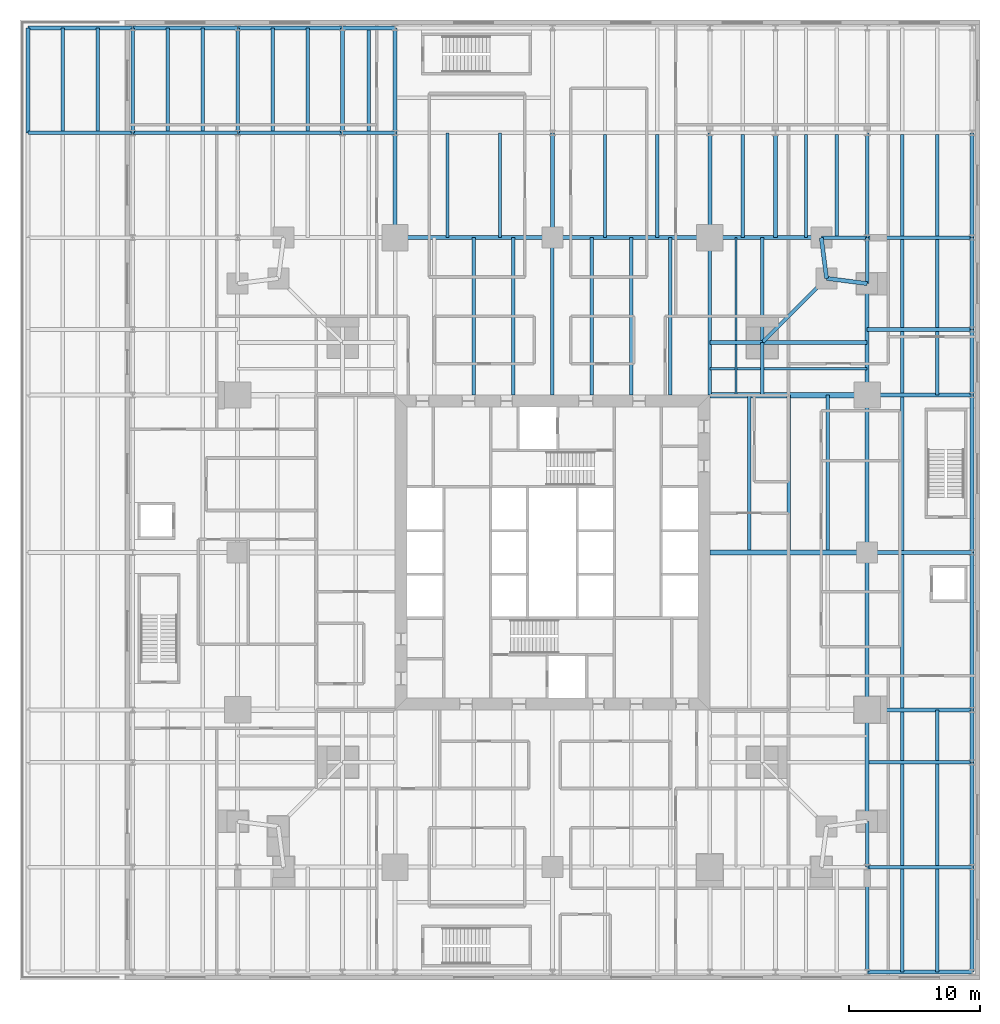
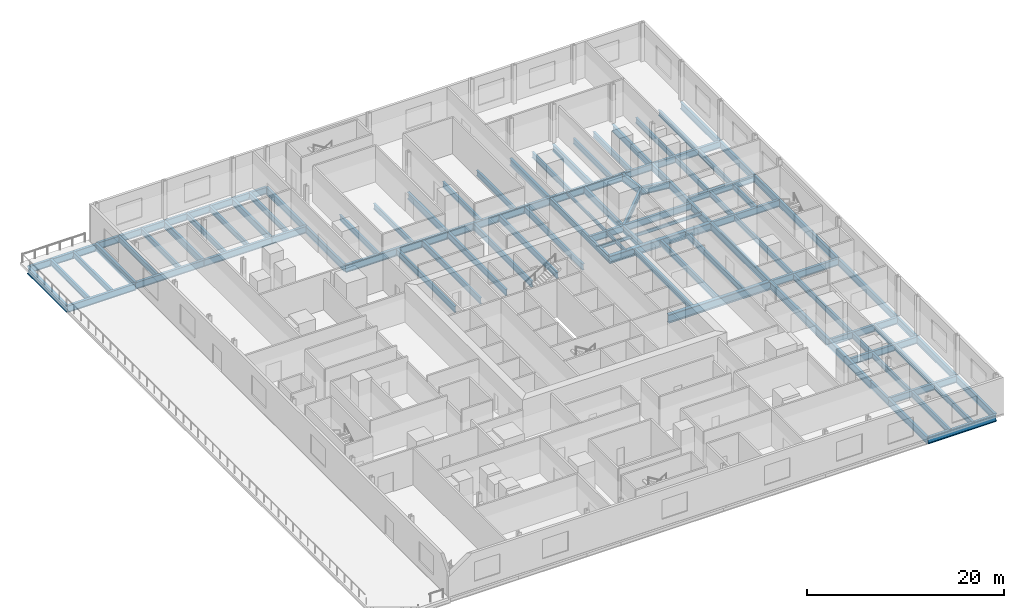
# One storey, part 6 of 17: 97 beams.
"""IFC4 building model written with IfcOpenShell, lengths in metres."""

from ifc_helpers import new_model, si_unit, direction, frame, origin, origin_2d, place, context, subcontext, project, spatial, i_section, extrude, material, material_profile, profile_set, type_object, element, save


model = new_model("IFC4")

# Units and contexts
model_context = context("Model", 3, precision=1e-05, world=origin(), true_north=direction((0.0, 1.0)))
body_context = subcontext(model_context, "Body", "Model", "MODEL_VIEW")
ifc_project = project(units=[si_unit("LENGTHUNIT", "METRE"), si_unit("AREAUNIT", "SQUARE_METRE"), si_unit("VOLUMEUNIT", "CUBIC_METRE"), si_unit("PLANEANGLEUNIT", "RADIAN"), si_unit("MASSUNIT", "GRAM", prefix="KILO")], contexts=[model_context])

# Site, building, storey
site_placement = place(None, origin())
site = spatial("IfcSite", under=ifc_project, at=site_placement, CompositionType="ELEMENT")
building_placement = place(site_placement, origin())
building = spatial("IfcBuilding", under=site, at=building_placement, Name="Fenwick Lantern Interchange", CompositionType="ELEMENT")
storey_placement = place(building_placement, frame((0.0, 0.0, 21.39990234375)))
storey = spatial("IfcBuildingStorey", under=building, at=storey_placement, Name="L04", CompositionType="ELEMENT", Elevation=21.39990234375)

# Beams
ifc_material = material(Name="Steel ASTM A992 Grade 50", Category="steel")
ifc_material_profile_1 = material_profile(ifc_material, i_section(OverallWidth=0.309814453125, OverallDepth=0.949951171875, WebThickness=0.0244140625, FlangeThickness=0.0439453125, at=origin_2d()), Name="W36X256")
ifc_profile_set_1 = profile_set([ifc_material_profile_1], Name="Steel ASTM A992 Grade 50")
beam_type_1 = type_object("IfcBeamType", Name="EDGE BEAM W36X256", PredefinedType="SPANDREL", material=ifc_profile_set_1)
beam_1_placement = place(storey_placement, frame((49.0, 4.5, -0.6748046875), z_axis=(0.0, 1.0, 0.0), x_axis=(-1.0, 0.0, 0.0)))
element("IfcBeam", 1, at=beam_1_placement, inside=storey, type_object=beam_type_1, Name="L04/FR/E/EB1", PredefinedType="SPANDREL", context=body_context, shape_type="SweptSolid", body=[
    extrude(i_section(OverallWidth=0.309814453125, OverallDepth=0.949951171875, WebThickness=0.0244140625, FlangeThickness=0.0439453125, at=origin_2d()), origin(), (0.0, 0.0, 1.0), 8.5),
])
for number, where, z_axis, x_axis, name in (
    (2, (49.0, 13.0, -0.6748046875), (0.0, 1.0, 0.0), (-1.0, 0.0, 0.0), "L04/FR/E/EB2"),
    (3, (49.0, 25.0, -0.6748046875), (0.0, 1.0, 0.0), (-1.0, 0.0, 0.0), "L04/FR/E/EB3"),
):
    element("IfcBeam", number, at=place(storey_placement, frame(where, z_axis=z_axis, x_axis=x_axis)), inside=storey, type_object=beam_type_1, Name=name, PredefinedType="SPANDREL", context=body_context, shape_type="SweptSolid", body=[
        extrude(i_section(OverallWidth=0.309814453125, OverallDepth=0.949951171875, WebThickness=0.0244140625, FlangeThickness=0.0439453125, at=origin_2d()), origin(), (0.0, 0.0, 1.0), 12.0),
    ])
beam_2_placement = place(storey_placement, frame((49.0, 37.0, -0.6748046875), z_axis=(0.0, 1.0, 0.0), x_axis=(-1.0, 0.0, 0.0)))
element("IfcBeam", 4, at=beam_2_placement, inside=storey, type_object=beam_type_1, Name="L04/FR/E/EB4", PredefinedType="SPANDREL", context=body_context, shape_type="SweptSolid", body=[
    extrude(i_section(OverallWidth=0.309814453125, OverallDepth=0.949951171875, WebThickness=0.0244140625, FlangeThickness=0.0439453125, at=origin_2d()), origin(), (0.0, 0.0, 1.0), 8.5),
])
for number, where, z_axis, x_axis, name in (
    (5, (49.0, 45.5, -0.6748046875), (-0.991782342897, 0.127936641807, 0.0), (-0.127936641807, -0.991782342897, 0.0), "L04/FR/E/EBR1"),
    (6, (45.89990234375, 45.89990234375, -0.6748046875), (-0.127936641807, 0.991782342897, 0.0), (-0.991782342897, -0.127936641807, 0.0), "L04/FR/E/EBR2"),
):
    element("IfcBeam", number, at=place(storey_placement, frame(where, z_axis=z_axis, x_axis=x_axis)), inside=storey, type_object=beam_type_1, Name=name, PredefinedType="SPANDREL", context=body_context, shape_type="SweptSolid", body=[
        extrude(i_section(OverallWidth=0.309814453125, OverallDepth=0.949951171875, WebThickness=0.0244140625, FlangeThickness=0.0439453125, at=origin_2d()), origin(), (0.0, 0.0, 1.0), 3.125732421875),
    ])
beam_3_placement = place(storey_placement, frame((45.5, 49.0, -0.6748046875), z_axis=(-1.0, 0.0, 0.0), x_axis=(0.0, -1.0, 0.0)))
element("IfcBeam", 7, at=beam_3_placement, inside=storey, type_object=beam_type_1, Name="L04/FR/N/EB1", PredefinedType="SPANDREL", context=body_context, shape_type="SweptSolid", body=[
    extrude(i_section(OverallWidth=0.309814453125, OverallDepth=0.949951171875, WebThickness=0.0244140625, FlangeThickness=0.0439453125, at=origin_2d()), origin(), (0.0, 0.0, 1.0), 8.5),
])
for number, where, z_axis, x_axis, name in (
    (8, (37.0, 49.0, -0.6748046875), (-1.0, 0.0, 0.0), (0.0, -1.0, 0.0), "L04/FR/N/EB2"),
    (9, (25.0, 49.0, -0.6748046875), (-1.0, 0.0, 0.0), (0.0, -1.0, 0.0), "L04/FR/N/EB3"),
):
    element("IfcBeam", number, at=place(storey_placement, frame(where, z_axis=z_axis, x_axis=x_axis)), inside=storey, type_object=beam_type_1, Name=name, PredefinedType="SPANDREL", context=body_context, shape_type="SweptSolid", body=[
        extrude(i_section(OverallWidth=0.309814453125, OverallDepth=0.949951171875, WebThickness=0.0244140625, FlangeThickness=0.0439453125, at=origin_2d()), origin(), (0.0, 0.0, 1.0), 12.0),
    ])
ifc_material_profile_2 = material_profile(ifc_material, i_section(OverallWidth=0.2666015625, OverallDepth=0.7568359375, WebThickness=0.013916015625, FlangeThickness=0.019287109375, at=origin_2d()), Name="W30X108")
ifc_profile_set_2 = profile_set([ifc_material_profile_2], Name="Steel ASTM A992 Grade 50")
beam_type_2 = type_object("IfcBeamType", Name="FLOOR BEAM W30X108", PredefinedType="BEAM", material=ifc_profile_set_2)
for number, where, z_axis, x_axis, name in (
    (10, (46.0, 25.20458984375, -0.578369140625), (0.0, 1.0, 0.0), (-1.0, 0.0, 0.0), "L04/FR/E/B04"),
    (11, (43.0, 25.20458984375, -0.578369140625), (0.0, 1.0, 0.0), (-1.0, 0.0, 0.0), "L04/FR/E/B05"),
    (12, (40.0, 25.20458984375, -0.578369140625), (0.0, 1.0, 0.0), (-1.0, 0.0, 0.0), "L04/FR/E/B06"),
):
    element("IfcBeam", number, at=place(storey_placement, frame(where, z_axis=z_axis, x_axis=x_axis)), inside=storey, type_object=beam_type_2, Name=name, PredefinedType="BEAM", context=body_context, shape_type="SweptSolid", body=[
        extrude(i_section(OverallWidth=0.2666015625, OverallDepth=0.7568359375, WebThickness=0.013916015625, FlangeThickness=0.019287109375, at=origin_2d()), origin(), (0.0, 0.0, 1.0), 11.79541015625),
    ])
for number, where, z_axis, x_axis, name in (
    (13, (34.0, 49.0, -0.578369140625), (0.0, -1.0, 0.0), (1.0, 0.0, 0.0), "L04/FR/N/R02"),
    (14, (31.0, 49.0, -0.578369140625), (0.0, -1.0, 0.0), (1.0, 0.0, 0.0), "L04/FR/N/R03"),
    (15, (28.0, 49.0, -0.578369140625), (0.0, -1.0, 0.0), (1.0, 0.0, 0.0), "L04/FR/N/R04"),
    (16, (22.0, 49.0, -0.578369140625), (0.0, -1.0, 0.0), (1.0, 0.0, 0.0), "L04/FR/N/R06"),
    (17, (19.0, 49.0, -0.578369140625), (0.0, -1.0, 0.0), (1.0, 0.0, 0.0), "L04/FR/N/R07"),
):
    element("IfcBeam", number, at=place(storey_placement, frame(where, z_axis=z_axis, x_axis=x_axis)), inside=storey, type_object=beam_type_2, Name=name, PredefinedType="BEAM", context=body_context, shape_type="SweptSolid", body=[
        extrude(i_section(OverallWidth=0.2666015625, OverallDepth=0.7568359375, WebThickness=0.013916015625, FlangeThickness=0.019287109375, at=origin_2d()), origin(), (0.0, 0.0, 1.0), 12.0),
    ])
ifc_material_profile_3 = material_profile(ifc_material, i_section(OverallWidth=0.177734375, OverallDepth=0.406494140625, WebThickness=0.0078125, FlangeThickness=0.012939453125, at=origin_2d()), Name="W16X40")
ifc_profile_set_3 = profile_set([ifc_material_profile_3], Name="Steel ASTM A992 Grade 50")
beam_type_3 = type_object("IfcBeamType", Name="INFILL BEAM W16X40", PredefinedType="JOIST", material=ifc_profile_set_3)
beam_4_placement = place(storey_placement, frame((39.0, 49.0, -0.403076171875), z_axis=(0.0, -1.0, 0.0), x_axis=(1.0, 0.0, 0.0)))
element("IfcBeam", 18, at=beam_4_placement, inside=storey, type_object=beam_type_3, Name="L04/FR/N/J1", PredefinedType="JOIST", context=body_context, shape_type="SweptSolid", body=[
    extrude(i_section(OverallWidth=0.177734375, OverallDepth=0.406494140625, WebThickness=0.0078125, FlangeThickness=0.012939453125, at=origin_2d()), origin(), (0.0, 0.0, 1.0), 7.85400390625),
])
beam_5_placement = place(storey_placement, frame((39.0, 40.85400390625, -0.403076171875), z_axis=(0.0, -1.0, 0.0), x_axis=(1.0, 0.0, 0.0)))
element("IfcBeam", 19, at=beam_5_placement, inside=storey, type_object=beam_type_3, Name="L04/FR/N/J2", PredefinedType="JOIST", context=body_context, shape_type="SweptSolid", body=[
    extrude(i_section(OverallWidth=0.177734375, OverallDepth=0.406494140625, WebThickness=0.0078125, FlangeThickness=0.012939453125, at=origin_2d()), origin(), (0.0, 0.0, 1.0), 3.85400390625),
])
beam_6_placement = place(storey_placement, frame((49.0, 39.0, -0.403076171875), z_axis=(-1.0, 0.0, 0.0), x_axis=(0.0, -1.0, 0.0)))
element("IfcBeam", 20, at=beam_6_placement, inside=storey, type_object=beam_type_3, Name="L04/FR/N/J3", PredefinedType="JOIST", context=body_context, shape_type="SweptSolid", body=[
    extrude(i_section(OverallWidth=0.177734375, OverallDepth=0.406494140625, WebThickness=0.0078125, FlangeThickness=0.012939453125, at=origin_2d()), origin(), (0.0, 0.0, 1.0), 7.85400390625),
])
beam_7_placement = place(storey_placement, frame((40.85400390625, 39.0, -0.403076171875), z_axis=(-1.0, 0.0, 0.0), x_axis=(0.0, -1.0, 0.0)))
element("IfcBeam", 21, at=beam_7_placement, inside=storey, type_object=beam_type_3, Name="L04/FR/N/J4", PredefinedType="JOIST", context=body_context, shape_type="SweptSolid", body=[
    extrude(i_section(OverallWidth=0.177734375, OverallDepth=0.406494140625, WebThickness=0.0078125, FlangeThickness=0.012939453125, at=origin_2d()), origin(), (0.0, 0.0, 1.0), 1.76513671875),
])
beam_8_placement = place(storey_placement, frame((38.9111328125, 39.0, -0.403076171875), z_axis=(-1.0, 0.0, 0.0), x_axis=(0.0, -1.0, 0.0)))
element("IfcBeam", 22, at=beam_8_placement, inside=storey, type_object=beam_type_3, Name="L04/FR/N/J5", PredefinedType="JOIST", context=body_context, shape_type="SweptSolid", body=[
    extrude(i_section(OverallWidth=0.177734375, OverallDepth=0.406494140625, WebThickness=0.0078125, FlangeThickness=0.012939453125, at=origin_2d()), origin(), (0.0, 0.0, 1.0), 1.9111328125),
])
ifc_material_profile_4 = material_profile(ifc_material, i_section(OverallWidth=0.2919921875, OverallDepth=0.845703125, WebThickness=0.015380859375, FlangeThickness=0.0244140625, at=origin_2d()), Name="W33X141")
ifc_profile_set_4 = profile_set([ifc_material_profile_4], Name="Steel ASTM A992 Grade 50")
beam_type_4 = type_object("IfcBeamType", Name="MEGA COLUMN BEAM W33X141", PredefinedType="BEAM", material=ifc_profile_set_4)
for number, where, z_axis, x_axis, name in (
    (23, (41.0, 41.0, -0.622802734375), (0.0, 1.0, 0.0), (-1.0, 0.0, 0.0), "L04/FR/N/MB1"),
    (24, (41.0, 41.0, -0.622802734375), (1.0, 0.0, 0.0), (0.0, 1.0, 0.0), "L04/FR/N/MB2"),
):
    element("IfcBeam", number, at=place(storey_placement, frame(where, z_axis=z_axis, x_axis=x_axis)), inside=storey, type_object=beam_type_4, Name=name, PredefinedType="BEAM", context=body_context, shape_type="SweptSolid", body=[
        extrude(i_section(OverallWidth=0.2919921875, OverallDepth=0.845703125, WebThickness=0.015380859375, FlangeThickness=0.0244140625, at=origin_2d()), origin(), (0.0, 0.0, 1.0), 8.0),
    ])
for number, where, z_axis, x_axis, name in (
    (25, (41.0, 41.0, -0.622802734375), (-1.0, 0.0, 0.0), (0.0, -1.0, 0.0), "L04/FR/N/MB3"),
    (26, (41.0, 41.0, -0.622802734375), (0.0, -1.0, 0.0), (1.0, 0.0, 0.0), "L04/FR/N/MB4"),
):
    element("IfcBeam", number, at=place(storey_placement, frame(where, z_axis=z_axis, x_axis=x_axis)), inside=storey, type_object=beam_type_4, Name=name, PredefinedType="BEAM", context=body_context, shape_type="SweptSolid", body=[
        extrude(i_section(OverallWidth=0.2919921875, OverallDepth=0.845703125, WebThickness=0.015380859375, FlangeThickness=0.0244140625, at=origin_2d()), origin(), (0.0, 0.0, 1.0), 4.0),
    ])
ifc_material_profile_5 = material_profile(ifc_material, i_section(OverallWidth=0.2666015625, OverallDepth=0.76953125, WebThickness=0.015625, FlangeThickness=0.025390625, at=origin_2d()), Name="W30X132")
ifc_profile_set_5 = profile_set([ifc_material_profile_5], Name="Steel ASTM A992 Grade 50")
beam_type_5 = type_object("IfcBeamType", Name="MOMENT-CONNECTED GIRDER W30X132", PredefinedType="BEAM", material=ifc_profile_set_5)
for number, where, z_axis, x_axis, name in (
    (27, (37.0, 49.0, -0.584716796875), (0.0, -1.0, 0.0), (1.0, 0.0, 0.0), "L04/FR/N/R01"),
    (28, (25.0, 49.0, -0.584716796875), (0.0, -1.0, 0.0), (1.0, 0.0, 0.0), "L04/FR/N/R05"),
):
    element("IfcBeam", number, at=place(storey_placement, frame(where, z_axis=z_axis, x_axis=x_axis)), inside=storey, type_object=beam_type_5, Name=name, PredefinedType="BEAM", context=body_context, shape_type="SweptSolid", body=[
        extrude(i_section(OverallWidth=0.2666015625, OverallDepth=0.76953125, WebThickness=0.015625, FlangeThickness=0.025390625, at=origin_2d()), origin(), (0.0, 0.0, 1.0), 12.0),
    ])
ifc_material_profile_6 = material_profile(ifc_material, i_section(OverallWidth=0.424072265625, OverallDepth=0.947509765625, WebThickness=0.02392578125, FlangeThickness=0.042724609375, at=origin_2d()), Name="W36X302")
ifc_profile_set_6 = profile_set([ifc_material_profile_6], Name="Steel ASTM A992 Grade 50")
beam_type_6 = type_object("IfcBeamType", Name="MOMENT-CONNECTED GIRDER W36X302", PredefinedType="BEAM", material=ifc_profile_set_6)
beam_9_placement = place(storey_placement, frame((49.0, 37.0, -0.673583984375), z_axis=(-1.0, 0.0, 0.0), x_axis=(0.0, -1.0, 0.0)))
element("IfcBeam", 29, at=beam_9_placement, inside=storey, type_object=beam_type_6, Name="L04/FR/E/R03", PredefinedType="BEAM", context=body_context, shape_type="SweptSolid", body=[
    extrude(i_section(OverallWidth=0.424072265625, OverallDepth=0.947509765625, WebThickness=0.02392578125, FlangeThickness=0.042724609375, at=origin_2d()), origin(), (0.0, 0.0, 1.0), 12.0),
])
ifc_material_profile_7 = material_profile(ifc_material, i_section(OverallWidth=0.408935546875, OverallDepth=1.04150390625, WebThickness=0.031005859375, FlangeThickness=0.055908203125, at=origin_2d()), Name="W40X397")
ifc_profile_set_7 = profile_set([ifc_material_profile_7], Name="Steel ASTM A992 Grade 50")
beam_type_7 = type_object("IfcBeamType", Name="MOMENT-CONNECTED GIRDER W40X397", PredefinedType="BEAM", material=ifc_profile_set_7)
beam_10_placement = place(storey_placement, frame((49.0, 25.0, -0.720703125), z_axis=(-1.0, 0.0, 0.0), x_axis=(0.0, -1.0, 0.0)))
element("IfcBeam", 30, at=beam_10_placement, inside=storey, type_object=beam_type_7, Name="L04/FR/E/R02", PredefinedType="BEAM", context=body_context, shape_type="SweptSolid", body=[
    extrude(i_section(OverallWidth=0.408935546875, OverallDepth=1.04150390625, WebThickness=0.031005859375, FlangeThickness=0.055908203125, at=origin_2d()), origin(), (0.0, 0.0, 1.0), 12.0),
])
ifc_material_profile_8 = material_profile(ifc_material, i_section(OverallWidth=0.2919921875, OverallDepth=0.845703125, WebThickness=0.015380859375, FlangeThickness=0.0244140625, at=origin_2d()), Name="W33X141")
ifc_profile_set_8 = profile_set([ifc_material_profile_8], Name="Steel ASTM A992 Grade 50")
beam_type_8 = type_object("IfcBeamType", Name="MOMENT-CONNECTED PODIUM GIRDER W33X141", PredefinedType="BEAM", material=ifc_profile_set_8)
for number, where, z_axis, x_axis, name in (
    (31, (49.0, -7.0, -0.622802734375), (1.0, 0.0, 0.0), (0.0, 1.0, 0.0), "L04/PF/G009"),
    (32, (49.0, 1.0, -0.622802734375), (1.0, 0.0, 0.0), (0.0, 1.0, 0.0), "L04/PF/G014"),
):
    element("IfcBeam", number, at=place(storey_placement, frame(where, z_axis=z_axis, x_axis=x_axis)), inside=storey, type_object=beam_type_8, Name=name, PredefinedType="BEAM", context=body_context, shape_type="SweptSolid", body=[
        extrude(i_section(OverallWidth=0.2919921875, OverallDepth=0.845703125, WebThickness=0.015380859375, FlangeThickness=0.0244140625, at=origin_2d()), origin(), (0.0, 0.0, 1.0), 8.0),
    ])
beam_11_placement = place(storey_placement, frame((49.155029296875, 9.0, -0.622802734375), z_axis=(1.0, 0.0, 0.0), x_axis=(0.0, 1.0, 0.0)))
element("IfcBeam", 33, at=beam_11_placement, inside=storey, type_object=beam_type_8, Name="L04/PF/G017", PredefinedType="BEAM", context=body_context, shape_type="SweptSolid", body=[
    extrude(i_section(OverallWidth=0.2919921875, OverallDepth=0.845703125, WebThickness=0.015380859375, FlangeThickness=0.0244140625, at=origin_2d()), origin(), (0.0, 0.0, 1.0), 7.844970703125),
])
for number, where, z_axis, x_axis, name in (
    (34, (49.0, 13.0, -0.622802734375), (1.0, 0.0, 0.0), (0.0, 1.0, 0.0), "L04/PF/G020"),
    (35, (49.0, 25.0, -0.622802734375), (1.0, 0.0, 0.0), (0.0, 1.0, 0.0), "L04/PF/G023"),
    (36, (49.0, 37.0, -0.622802734375), (1.0, 0.0, 0.0), (0.0, 1.0, 0.0), "L04/PF/G026"),
    (37, (49.0, 42.0, -0.622802734375), (1.0, 0.0, 0.0), (0.0, 1.0, 0.0), "L04/PF/G029"),
):
    element("IfcBeam", number, at=place(storey_placement, frame(where, z_axis=z_axis, x_axis=x_axis)), inside=storey, type_object=beam_type_8, Name=name, PredefinedType="BEAM", context=body_context, shape_type="SweptSolid", body=[
        extrude(i_section(OverallWidth=0.2919921875, OverallDepth=0.845703125, WebThickness=0.015380859375, FlangeThickness=0.0244140625, at=origin_2d()), origin(), (0.0, 0.0, 1.0), 8.0),
    ])
beam_12_placement = place(storey_placement, frame((45.5, 49.0, -0.622802734375), z_axis=(1.0, 0.0, 0.0), x_axis=(0.0, 1.0, 0.0)))
element("IfcBeam", 38, at=beam_12_placement, inside=storey, type_object=beam_type_8, Name="L04/PF/G033", PredefinedType="BEAM", context=body_context, shape_type="SweptSolid", body=[
    extrude(i_section(OverallWidth=0.2919921875, OverallDepth=0.845703125, WebThickness=0.015380859375, FlangeThickness=0.0244140625, at=origin_2d()), origin(), (0.0, 0.0, 1.0), 3.5),
])
for number, where, z_axis, x_axis, name in (
    (39, (49.0, 49.0, -0.622802734375), (1.0, 0.0, 0.0), (0.0, 1.0, 0.0), "L04/PF/G034"),
    (40, (-15.0, 57.0, -0.722900390625), (1.0, 0.0, 0.0), (0.0, 1.0, 0.0), "L04/PF/G035"),
    (41, (-7.0, 57.0, -0.622802734375), (1.0, 0.0, 0.0), (0.0, 1.0, 0.0), "L04/PF/G036"),
    (42, (1.0, 57.0, -0.622802734375), (1.0, 0.0, 0.0), (0.0, 1.0, 0.0), "L04/PF/G037"),
):
    element("IfcBeam", number, at=place(storey_placement, frame(where, z_axis=z_axis, x_axis=x_axis)), inside=storey, type_object=beam_type_8, Name=name, PredefinedType="BEAM", context=body_context, shape_type="SweptSolid", body=[
        extrude(i_section(OverallWidth=0.2919921875, OverallDepth=0.845703125, WebThickness=0.015380859375, FlangeThickness=0.0244140625, at=origin_2d()), origin(), (0.0, 0.0, 1.0), 8.0),
    ])
beam_13_placement = place(storey_placement, frame((9.0, 57.0, -0.622802734375), z_axis=(1.0, 0.0, 0.0), x_axis=(0.0, 1.0, 0.0)))
element("IfcBeam", 43, at=beam_13_placement, inside=storey, type_object=beam_type_8, Name="L04/PF/G038", PredefinedType="BEAM", context=body_context, shape_type="SweptSolid", body=[
    extrude(i_section(OverallWidth=0.2919921875, OverallDepth=0.845703125, WebThickness=0.015380859375, FlangeThickness=0.0244140625, at=origin_2d()), origin(), (0.0, 0.0, 1.0), 4.0),
])
for number, where, z_axis, x_axis, name in (
    (44, (-15.0, 65.0, -0.722900390625), (1.0, 0.0, 0.0), (0.0, 1.0, 0.0), "L04/PF/G044"),
    (45, (-7.0, 65.0, -0.622802734375), (1.0, 0.0, 0.0), (0.0, 1.0, 0.0), "L04/PF/G045"),
    (46, (1.0, 65.0, -0.622802734375), (1.0, 0.0, 0.0), (0.0, 1.0, 0.0), "L04/PF/G046"),
):
    element("IfcBeam", number, at=place(storey_placement, frame(where, z_axis=z_axis, x_axis=x_axis)), inside=storey, type_object=beam_type_8, Name=name, PredefinedType="BEAM", context=body_context, shape_type="SweptSolid", body=[
        extrude(i_section(OverallWidth=0.2919921875, OverallDepth=0.845703125, WebThickness=0.015380859375, FlangeThickness=0.0244140625, at=origin_2d()), origin(), (0.0, 0.0, 1.0), 8.0),
    ])
beam_14_placement = place(storey_placement, frame((9.0, 65.0, -0.622802734375), z_axis=(1.0, 0.0, 0.0), x_axis=(0.0, 1.0, 0.0)))
element("IfcBeam", 47, at=beam_14_placement, inside=storey, type_object=beam_type_8, Name="L04/PF/G047", PredefinedType="BEAM", context=body_context, shape_type="SweptSolid", body=[
    extrude(i_section(OverallWidth=0.2919921875, OverallDepth=0.845703125, WebThickness=0.015380859375, FlangeThickness=0.0244140625, at=origin_2d()), origin(), (0.0, 0.0, 1.0), 4.0),
])
for number, where, z_axis, x_axis, name in (
    (48, (-15.0, 57.0, -0.722900390625), (0.0, 1.0, 0.0), (-1.0, 0.0, 0.0), "L04/PF/G061"),
    (49, (-7.0, 57.0, -0.622802734375), (0.0, 1.0, 0.0), (-1.0, 0.0, 0.0), "L04/PF/G070"),
    (50, (1.0, 57.0, -0.622802734375), (0.0, 1.0, 0.0), (-1.0, 0.0, 0.0), "L04/PF/G075"),
    (51, (9.0, 57.0, -0.622802734375), (0.0, 1.0, 0.0), (-1.0, 0.0, 0.0), "L04/PF/G078"),
    (52, (13.0, 49.0, -0.622802734375), (0.0, 1.0, 0.0), (-1.0, 0.0, 0.0), "L04/PF/G080"),
    (53, (13.0, 57.0, -0.622802734375), (0.0, 1.0, 0.0), (-1.0, 0.0, 0.0), "L04/PF/G081"),
    (54, (25.0, 49.0, -0.622802734375), (0.0, 1.0, 0.0), (-1.0, 0.0, 0.0), "L04/PF/G083"),
    (55, (37.0, 49.0, -0.622802734375), (0.0, 1.0, 0.0), (-1.0, 0.0, 0.0), "L04/PF/G086"),
    (56, (42.0, 49.0, -0.622802734375), (0.0, 1.0, 0.0), (-1.0, 0.0, 0.0), "L04/PF/G089"),
    (57, (49.0, -7.0, -0.622802734375), (0.0, 1.0, 0.0), (-1.0, 0.0, 0.0), "L04/PF/G091"),
):
    element("IfcBeam", number, at=place(storey_placement, frame(where, z_axis=z_axis, x_axis=x_axis)), inside=storey, type_object=beam_type_8, Name=name, PredefinedType="BEAM", context=body_context, shape_type="SweptSolid", body=[
        extrude(i_section(OverallWidth=0.2919921875, OverallDepth=0.845703125, WebThickness=0.015380859375, FlangeThickness=0.0244140625, at=origin_2d()), origin(), (0.0, 0.0, 1.0), 8.0),
    ])
for number, where, z_axis, x_axis, name in (
    (58, (49.0, 1.0, -0.622802734375), (0.0, 1.0, 0.0), (-1.0, 0.0, 0.0), "L04/PF/G092"),
    (59, (49.0, 45.5, -0.622802734375), (0.0, 1.0, 0.0), (-1.0, 0.0, 0.0), "L04/PF/G093"),
):
    element("IfcBeam", number, at=place(storey_placement, frame(where, z_axis=z_axis, x_axis=x_axis)), inside=storey, type_object=beam_type_8, Name=name, PredefinedType="BEAM", context=body_context, shape_type="SweptSolid", body=[
        extrude(i_section(OverallWidth=0.2919921875, OverallDepth=0.845703125, WebThickness=0.015380859375, FlangeThickness=0.0244140625, at=origin_2d()), origin(), (0.0, 0.0, 1.0), 3.5),
    ])
for number, where, z_axis, x_axis, name in (
    (60, (49.0, 49.0, -0.622802734375), (0.0, 1.0, 0.0), (-1.0, 0.0, 0.0), "L04/PF/G094"),
    (61, (57.0, -7.0, -0.622802734375), (0.0, 1.0, 0.0), (-1.0, 0.0, 0.0), "L04/PF/G096"),
    (62, (57.0, 1.0, -0.622802734375), (0.0, 1.0, 0.0), (-1.0, 0.0, 0.0), "L04/PF/G097"),
):
    element("IfcBeam", number, at=place(storey_placement, frame(where, z_axis=z_axis, x_axis=x_axis)), inside=storey, type_object=beam_type_8, Name=name, PredefinedType="BEAM", context=body_context, shape_type="SweptSolid", body=[
        extrude(i_section(OverallWidth=0.2919921875, OverallDepth=0.845703125, WebThickness=0.015380859375, FlangeThickness=0.0244140625, at=origin_2d()), origin(), (0.0, 0.0, 1.0), 8.0),
    ])
beam_15_placement = place(storey_placement, frame((57.0, 9.0, -0.622802734375), z_axis=(0.0, 1.0, 0.0), x_axis=(-1.0, 0.0, 0.0)))
element("IfcBeam", 63, at=beam_15_placement, inside=storey, type_object=beam_type_8, Name="L04/PF/G098", PredefinedType="BEAM", context=body_context, shape_type="SweptSolid", body=[
    extrude(i_section(OverallWidth=0.2919921875, OverallDepth=0.845703125, WebThickness=0.015380859375, FlangeThickness=0.0244140625, at=origin_2d()), origin(), (0.0, 0.0, 1.0), 4.0),
])
for number, where, z_axis, x_axis, name in (
    (64, (57.0, 13.0, -0.622802734375), (0.0, 1.0, 0.0), (-1.0, 0.0, 0.0), "L04/PF/G099"),
    (65, (57.0, 25.0, -0.622802734375), (0.0, 1.0, 0.0), (-1.0, 0.0, 0.0), "L04/PF/G100"),
):
    element("IfcBeam", number, at=place(storey_placement, frame(where, z_axis=z_axis, x_axis=x_axis)), inside=storey, type_object=beam_type_8, Name=name, PredefinedType="BEAM", context=body_context, shape_type="SweptSolid", body=[
        extrude(i_section(OverallWidth=0.2919921875, OverallDepth=0.845703125, WebThickness=0.015380859375, FlangeThickness=0.0244140625, at=origin_2d()), origin(), (0.0, 0.0, 1.0), 12.0),
    ])
beam_16_placement = place(storey_placement, frame((57.0, 37.0, -0.622802734375), z_axis=(0.0, 1.0, 0.0), x_axis=(-1.0, 0.0, 0.0)))
element("IfcBeam", 66, at=beam_16_placement, inside=storey, type_object=beam_type_8, Name="L04/PF/G101", PredefinedType="BEAM", context=body_context, shape_type="SweptSolid", body=[
    extrude(i_section(OverallWidth=0.2919921875, OverallDepth=0.845703125, WebThickness=0.015380859375, FlangeThickness=0.0244140625, at=origin_2d()), origin(), (0.0, 0.0, 1.0), 5.0),
])
beam_17_placement = place(storey_placement, frame((57.0, 42.0, -0.622802734375), z_axis=(0.0, 1.0, 0.0), x_axis=(-1.0, 0.0, 0.0)))
element("IfcBeam", 67, at=beam_17_placement, inside=storey, type_object=beam_type_8, Name="L04/PF/G102", PredefinedType="BEAM", context=body_context, shape_type="SweptSolid", body=[
    extrude(i_section(OverallWidth=0.2919921875, OverallDepth=0.845703125, WebThickness=0.015380859375, FlangeThickness=0.0244140625, at=origin_2d()), origin(), (0.0, 0.0, 1.0), 7.0),
])
beam_18_placement = place(storey_placement, frame((57.0, 49.0, -0.622802734375), z_axis=(0.0, 1.0, 0.0), x_axis=(-1.0, 0.0, 0.0)))
element("IfcBeam", 68, at=beam_18_placement, inside=storey, type_object=beam_type_8, Name="L04/PF/G103", PredefinedType="BEAM", context=body_context, shape_type="SweptSolid", body=[
    extrude(i_section(OverallWidth=0.2919921875, OverallDepth=0.845703125, WebThickness=0.015380859375, FlangeThickness=0.0244140625, at=origin_2d()), origin(), (0.0, 0.0, 1.0), 8.0),
])
ifc_material_profile_9 = material_profile(ifc_material, i_section(OverallWidth=0.2666015625, OverallDepth=0.7568359375, WebThickness=0.013916015625, FlangeThickness=0.019287109375, at=origin_2d()), Name="W30X108")
ifc_profile_set_9 = profile_set([ifc_material_profile_9], Name="Steel ASTM A992 Grade 50")
beam_type_9 = type_object("IfcBeamType", Name="NOTCH BEAM W30X108", PredefinedType="BEAM", material=ifc_profile_set_9)
beam_19_placement = place(storey_placement, frame((41.0, 41.0, -0.578369140625), z_axis=(0.707106781187, 0.707106781187, 0.0), x_axis=(-0.707106781187, 0.707106781187, 0.0)))
element("IfcBeam", 69, at=beam_19_placement, inside=storey, type_object=beam_type_9, Name="L04/FR/N/TG", PredefinedType="BEAM", context=body_context, shape_type="SweptSolid", body=[
    extrude(i_section(OverallWidth=0.2666015625, OverallDepth=0.7568359375, WebThickness=0.013916015625, FlangeThickness=0.019287109375, at=origin_2d()), origin(), (0.0, 0.0, 1.0), 6.929443359375),
])
ifc_material_profile_10 = material_profile(ifc_material, i_section(OverallWidth=0.25390625, OverallDepth=0.683349609375, WebThickness=0.012451171875, FlangeThickness=0.01904296875, at=origin_2d()), Name="W27X94")
ifc_profile_set_10 = profile_set([ifc_material_profile_10], Name="Steel ASTM A992 Grade 50")
beam_type_10 = type_object("IfcBeamType", Name="PODIUM BEAM W27X94", PredefinedType="JOIST", material=ifc_profile_set_10)
for number, where, z_axis, x_axis, name in (
    (70, (-12.333251953125, 57.14599609375, -0.6416015625), (0.0, 1.0, 0.0), (-1.0, 0.0, 0.0), "L04/PF/J121"),
    (71, (-9.666748046875, 57.14599609375, -0.6416015625), (0.0, 1.0, 0.0), (-1.0, 0.0, 0.0), "L04/PF/J122"),
    (72, (-4.333251953125, 57.14599609375, -0.54150390625), (0.0, 1.0, 0.0), (-1.0, 0.0, 0.0), "L04/PF/J137"),
    (73, (-1.666748046875, 57.14599609375, -0.54150390625), (0.0, 1.0, 0.0), (-1.0, 0.0, 0.0), "L04/PF/J138"),
    (74, (3.666748046875, 57.14599609375, -0.54150390625), (0.0, 1.0, 0.0), (-1.0, 0.0, 0.0), "L04/PF/J143"),
    (75, (6.333251953125, 57.14599609375, -0.54150390625), (0.0, 1.0, 0.0), (-1.0, 0.0, 0.0), "L04/PF/J144"),
    (76, (11.0, 57.14599609375, -0.54150390625), (0.0, 1.0, 0.0), (-1.0, 0.0, 0.0), "L04/PF/J147"),
):
    element("IfcBeam", number, at=place(storey_placement, frame(where, z_axis=z_axis, x_axis=x_axis)), inside=storey, type_object=beam_type_10, Name=name, PredefinedType="JOIST", context=body_context, shape_type="SweptSolid", body=[
        extrude(i_section(OverallWidth=0.25390625, OverallDepth=0.683349609375, WebThickness=0.012451171875, FlangeThickness=0.01904296875, at=origin_2d()), origin(), (0.0, 0.0, 1.0), 7.85400390625),
    ])
for number, where, z_axis, x_axis, name in (
    (77, (17.0, 49.0, -0.54150390625), (0.0, 1.0, 0.0), (-1.0, 0.0, 0.0), "L04/PF/J149"),
    (78, (21.0, 49.0, -0.54150390625), (0.0, 1.0, 0.0), (-1.0, 0.0, 0.0), "L04/PF/J150"),
):
    element("IfcBeam", number, at=place(storey_placement, frame(where, z_axis=z_axis, x_axis=x_axis)), inside=storey, type_object=beam_type_10, Name=name, PredefinedType="JOIST", context=body_context, shape_type="SweptSolid", body=[
        extrude(i_section(OverallWidth=0.25390625, OverallDepth=0.683349609375, WebThickness=0.012451171875, FlangeThickness=0.01904296875, at=origin_2d()), origin(), (0.0, 0.0, 1.0), 8.0),
    ])
for number, where, z_axis, x_axis, name in (
    (79, (29.0, 49.0, -0.54150390625), (0.0, 1.0, 0.0), (-1.0, 0.0, 0.0), "L04/PF/J154"),
    (80, (33.0, 49.0, -0.54150390625), (0.0, 1.0, 0.0), (-1.0, 0.0, 0.0), "L04/PF/J155"),
    (81, (39.5, 49.0, -0.54150390625), (0.0, 1.0, 0.0), (-1.0, 0.0, 0.0), "L04/PF/J159"),
    (82, (44.333251953125, 49.0, -0.54150390625), (0.0, 1.0, 0.0), (-1.0, 0.0, 0.0), "L04/PF/J163"),
    (83, (46.666748046875, 49.0, -0.54150390625), (0.0, 1.0, 0.0), (-1.0, 0.0, 0.0), "L04/PF/J164"),
    (84, (51.666748046875, -7.0, -0.54150390625), (0.0, 1.0, 0.0), (-1.0, 0.0, 0.0), "L04/PF/J167"),
    (85, (54.333251953125, -7.0, -0.54150390625), (0.0, 1.0, 0.0), (-1.0, 0.0, 0.0), "L04/PF/J168"),
):
    element("IfcBeam", number, at=place(storey_placement, frame(where, z_axis=z_axis, x_axis=x_axis)), inside=storey, type_object=beam_type_10, Name=name, PredefinedType="JOIST", context=body_context, shape_type="SweptSolid", body=[
        extrude(i_section(OverallWidth=0.25390625, OverallDepth=0.683349609375, WebThickness=0.012451171875, FlangeThickness=0.01904296875, at=origin_2d()), origin(), (0.0, 0.0, 1.0), 7.85400390625),
    ])
for number, where, z_axis, x_axis, name in (
    (86, (51.666748046875, 1.14599609375, -0.54150390625), (0.0, 1.0, 0.0), (-1.0, 0.0, 0.0), "L04/PF/J169"),
    (87, (54.333251953125, 1.14599609375, -0.54150390625), (0.0, 1.0, 0.0), (-1.0, 0.0, 0.0), "L04/PF/J170"),
):
    element("IfcBeam", number, at=place(storey_placement, frame(where, z_axis=z_axis, x_axis=x_axis)), inside=storey, type_object=beam_type_10, Name=name, PredefinedType="JOIST", context=body_context, shape_type="SweptSolid", body=[
        extrude(i_section(OverallWidth=0.25390625, OverallDepth=0.683349609375, WebThickness=0.012451171875, FlangeThickness=0.01904296875, at=origin_2d()), origin(), (0.0, 0.0, 1.0), 7.7080078125),
    ])
beam_20_placement = place(storey_placement, frame((51.666748046875, 9.14599609375, -0.54150390625), z_axis=(0.0, 1.0, 0.0), x_axis=(-1.0, 0.0, 0.0)))
element("IfcBeam", 88, at=beam_20_placement, inside=storey, type_object=beam_type_10, Name="L04/PF/J171", PredefinedType="JOIST", context=body_context, shape_type="SweptSolid", body=[
    extrude(i_section(OverallWidth=0.25390625, OverallDepth=0.683349609375, WebThickness=0.012451171875, FlangeThickness=0.01904296875, at=origin_2d()), origin(), (0.0, 0.0, 1.0), 3.7080078125),
])
beam_21_placement = place(storey_placement, frame((54.333251953125, 9.14599609375, -0.54150390625), z_axis=(0.0, 1.0, 0.0), x_axis=(-1.0, 0.0, 0.0)))
element("IfcBeam", 89, at=beam_21_placement, inside=storey, type_object=beam_type_10, Name="L04/PF/J172", PredefinedType="JOIST", context=body_context, shape_type="SweptSolid", body=[
    extrude(i_section(OverallWidth=0.25390625, OverallDepth=0.683349609375, WebThickness=0.012451171875, FlangeThickness=0.01904296875, at=origin_2d()), origin(), (0.0, 0.0, 1.0), 3.85400390625),
])
for number, where, z_axis, x_axis, name in (
    (90, (51.666748046875, 13.14599609375, -0.54150390625), (0.0, 1.0, 0.0), (-1.0, 0.0, 0.0), "L04/PF/J173"),
    (91, (51.666748046875, 25.14599609375, -0.54150390625), (0.0, 1.0, 0.0), (-1.0, 0.0, 0.0), "L04/PF/J174"),
):
    element("IfcBeam", number, at=place(storey_placement, frame(where, z_axis=z_axis, x_axis=x_axis)), inside=storey, type_object=beam_type_10, Name=name, PredefinedType="JOIST", context=body_context, shape_type="SweptSolid", body=[
        extrude(i_section(OverallWidth=0.25390625, OverallDepth=0.683349609375, WebThickness=0.012451171875, FlangeThickness=0.01904296875, at=origin_2d()), origin(), (0.0, 0.0, 1.0), 11.7080078125),
    ])
beam_22_placement = place(storey_placement, frame((51.666748046875, 37.14599609375, -0.54150390625), z_axis=(0.0, 1.0, 0.0), x_axis=(-1.0, 0.0, 0.0)))
element("IfcBeam", 92, at=beam_22_placement, inside=storey, type_object=beam_type_10, Name="L04/PF/J175", PredefinedType="JOIST", context=body_context, shape_type="SweptSolid", body=[
    extrude(i_section(OverallWidth=0.25390625, OverallDepth=0.683349609375, WebThickness=0.012451171875, FlangeThickness=0.01904296875, at=origin_2d()), origin(), (0.0, 0.0, 1.0), 4.7080078125),
])
beam_23_placement = place(storey_placement, frame((54.333251953125, 37.0, -0.54150390625), z_axis=(0.0, 1.0, 0.0), x_axis=(-1.0, 0.0, 0.0)))
element("IfcBeam", 93, at=beam_23_placement, inside=storey, type_object=beam_type_10, Name="L04/PF/J176", PredefinedType="JOIST", context=body_context, shape_type="SweptSolid", body=[
    extrude(i_section(OverallWidth=0.25390625, OverallDepth=0.683349609375, WebThickness=0.012451171875, FlangeThickness=0.01904296875, at=origin_2d()), origin(), (0.0, 0.0, 1.0), 4.85400390625),
])
for number, where, z_axis, x_axis, name in (
    (94, (51.666748046875, 42.14599609375, -0.54150390625), (0.0, 1.0, 0.0), (-1.0, 0.0, 0.0), "L04/PF/J177"),
    (95, (54.333251953125, 42.14599609375, -0.54150390625), (0.0, 1.0, 0.0), (-1.0, 0.0, 0.0), "L04/PF/J178"),
):
    element("IfcBeam", number, at=place(storey_placement, frame(where, z_axis=z_axis, x_axis=x_axis)), inside=storey, type_object=beam_type_10, Name=name, PredefinedType="JOIST", context=body_context, shape_type="SweptSolid", body=[
        extrude(i_section(OverallWidth=0.25390625, OverallDepth=0.683349609375, WebThickness=0.012451171875, FlangeThickness=0.01904296875, at=origin_2d()), origin(), (0.0, 0.0, 1.0), 6.7080078125),
    ])
for number, where, z_axis, x_axis, name in (
    (96, (51.666748046875, 49.14599609375, -0.54150390625), (0.0, 1.0, 0.0), (-1.0, 0.0, 0.0), "L04/PF/J179"),
    (97, (54.333251953125, 49.14599609375, -0.54150390625), (0.0, 1.0, 0.0), (-1.0, 0.0, 0.0), "L04/PF/J180"),
):
    element("IfcBeam", number, at=place(storey_placement, frame(where, z_axis=z_axis, x_axis=x_axis)), inside=storey, type_object=beam_type_10, Name=name, PredefinedType="JOIST", context=body_context, shape_type="SweptSolid", body=[
        extrude(i_section(OverallWidth=0.25390625, OverallDepth=0.683349609375, WebThickness=0.012451171875, FlangeThickness=0.01904296875, at=origin_2d()), origin(), (0.0, 0.0, 1.0), 7.7080078125),
    ])

save(model, "model.ifc")
